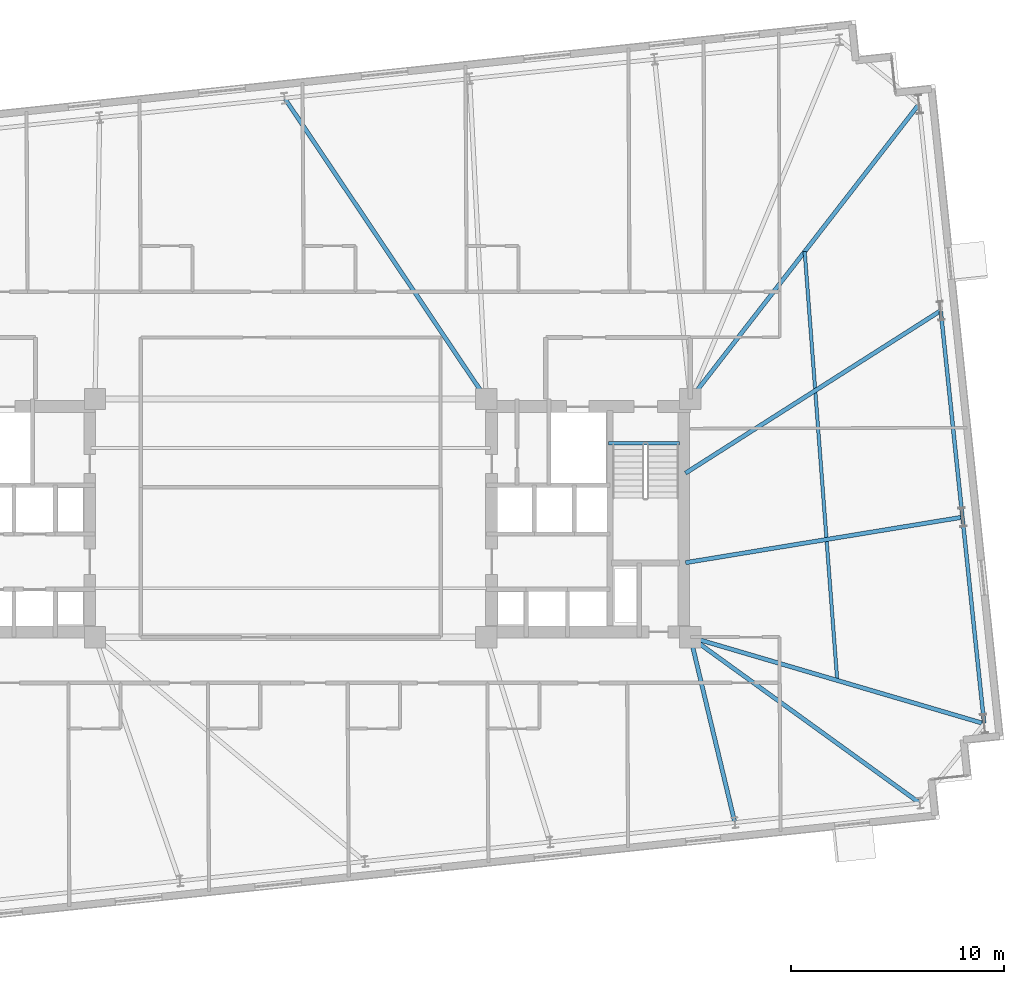
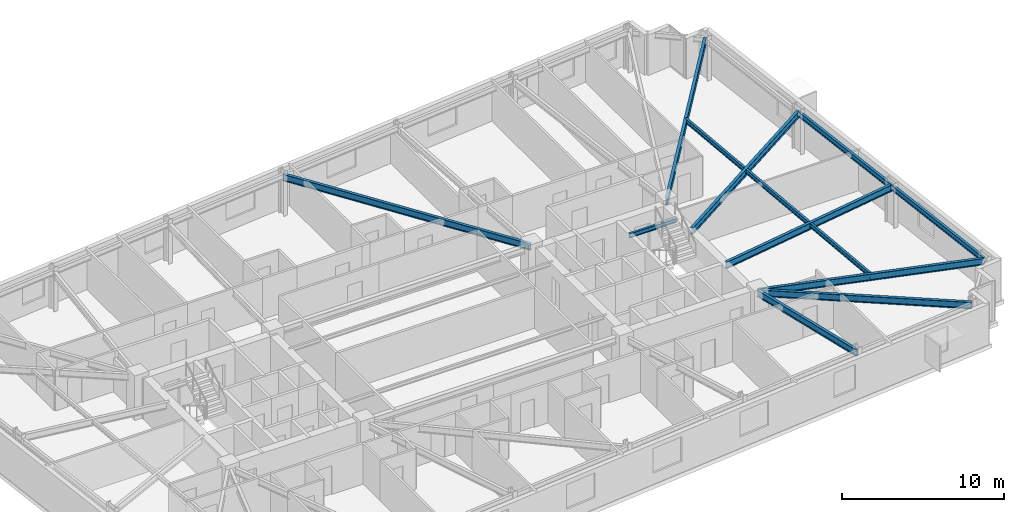
# One storey, part 7 of 19: 11 beams.
"""IFC4 building model written with IfcOpenShell, lengths in metres."""

from ifc_helpers import new_model, si_unit, direction, frame, origin, origin_2d, place, context, subcontext, project, spatial, i_section, extrude, material, material_profile, profile_set, type_object, element, save


model = new_model("IFC4")

# Units and contexts
model_context = context("Model", 3, precision=1e-05, world=origin(), true_north=direction((0.0, 1.0)))
body_context = subcontext(model_context, "Body", "Model", "MODEL_VIEW")
ifc_project = project(units=[si_unit("LENGTHUNIT", "METRE"), si_unit("AREAUNIT", "SQUARE_METRE"), si_unit("VOLUMEUNIT", "CUBIC_METRE"), si_unit("PLANEANGLEUNIT", "RADIAN"), si_unit("MASSUNIT", "GRAM", prefix="KILO")], contexts=[model_context])

# Site, building, storey
site_placement = place(None, origin())
site = spatial("IfcSite", under=ifc_project, at=site_placement, CompositionType="ELEMENT")
building_placement = place(site_placement, origin())
building = spatial("IfcBuilding", under=site, at=building_placement, Name="Qobustan Lattice House", CompositionType="ELEMENT")
storey_placement = place(building_placement, frame((0.0, 0.0, 115.85009765625)))
storey = spatial("IfcBuildingStorey", under=building, at=storey_placement, Name="L32", CompositionType="ELEMENT", Elevation=115.85009765625)

# Beams
ifc_material_1 = material(Name="Steel S355", Category="steel")
ifc_material_profile_1 = material_profile(ifc_material_1, i_section(OverallWidth=0.199951171875, OverallDepth=0.5, WebThickness=0.01025390625, FlangeThickness=0.01611328125, FilletRadius=0.02099609375, at=origin_2d()), Name="IPE500")
ifc_profile_set_1 = profile_set([ifc_material_profile_1], Name="Steel S355")
beam_type_1 = type_object("IfcBeamType", Name="BM-FLG-IPE500", PredefinedType="USERDEFINED", material=ifc_profile_set_1)
beam_1_placement = place(storey_placement, frame((20.885009765625, -14.297607421875, 2.794921875), z_axis=(-0.233107910855, 0.97245087377, 0.0), x_axis=(-0.97245087377, -0.233107910855, 0.0)))
element("IfcBeam", 1, at=beam_1_placement, inside=storey, type_object=beam_type_1, Name="L32 primary floor girder RAD-S6", ObjectType="GIRDER", PredefinedType="USERDEFINED", context=body_context, shape_type="SweptSolid", body=[
    extrude(i_section(OverallWidth=0.199951171875, OverallDepth=0.5, WebThickness=0.01025390625, FlangeThickness=0.01611328125, FilletRadius=0.02099609375, at=origin_2d()), origin(), (0.0, 0.0, 1.0), 8.9189453125),
])
beam_2_placement = place(storey_placement, frame((29.572509765625, -13.392578125, 2.794921875), z_axis=(-0.81023705091, 0.586102313024, 0.0), x_axis=(-0.586102313024, -0.81023705091, 0.0)))
element("IfcBeam", 2, at=beam_2_placement, inside=storey, type_object=beam_type_1, Name="L32 primary floor girder RAD-S7E", ObjectType="GIRDER", PredefinedType="USERDEFINED", context=body_context, shape_type="SweptSolid", body=[
    extrude(i_section(OverallWidth=0.199951171875, OverallDepth=0.5, WebThickness=0.01025390625, FlangeThickness=0.01611328125, FilletRadius=0.02099609375, at=origin_2d()), origin(), (0.0, 0.0, 1.0), 13.2705078125),
])
beam_3_placement = place(storey_placement, frame((-0.272705078125, 19.730224609375, 2.794921875), z_axis=(0.556837669082, -0.830621339896, 0.0), x_axis=(0.830621339896, 0.556837669082, 0.0)))
element("IfcBeam", 3, at=beam_3_placement, inside=storey, type_object=beam_type_1, Name="L32 primary floor girder RAD-N4", ObjectType="GIRDER", PredefinedType="USERDEFINED", context=body_context, shape_type="SweptSolid", body=[
    extrude(i_section(OverallWidth=0.199951171875, OverallDepth=0.5, WebThickness=0.01025390625, FlangeThickness=0.01611328125, FilletRadius=0.02099609375, at=origin_2d()), origin(), (0.0, 0.0, 1.0), 16.986572265625),
])
beam_4_placement = place(storey_placement, frame((29.541015625, 19.44921875, 2.794921875), z_axis=(-0.612860318028, -0.790191262029, 0.0), x_axis=(0.790191262029, -0.612860318028, 0.0)))
element("IfcBeam", 4, at=beam_4_placement, inside=storey, type_object=beam_type_1, Name="L32 primary floor girder RAD-E4", ObjectType="GIRDER", PredefinedType="USERDEFINED", context=body_context, shape_type="SweptSolid", body=[
    extrude(i_section(OverallWidth=0.199951171875, OverallDepth=0.5, WebThickness=0.01025390625, FlangeThickness=0.01611328125, FilletRadius=0.02099609375, at=origin_2d()), origin(), (0.0, 0.0, 1.0), 17.501220703125),
])
beam_5_placement = place(storey_placement, frame((30.555908203125, 9.742431640625, 2.794921875), z_axis=(-0.843584351199, -0.536996687525, 0.0), x_axis=(0.536996687525, -0.843584351199, 0.0)))
element("IfcBeam", 5, at=beam_5_placement, inside=storey, type_object=beam_type_1, Name="L32 primary floor girder RAD-E3", ObjectType="GIRDER", PredefinedType="USERDEFINED", context=body_context, shape_type="SweptSolid", body=[
    extrude(i_section(OverallWidth=0.199951171875, OverallDepth=0.5, WebThickness=0.01025390625, FlangeThickness=0.01611328125, FilletRadius=0.02099609375, at=origin_2d()), origin(), (0.0, 0.0, 1.0), 14.20703125),
])
beam_6_placement = place(storey_placement, frame((31.5732421875, 0.03857421875, 2.794921875), z_axis=(-0.986783828506, -0.162042203761, 0.0), x_axis=(0.162042203761, -0.986783828506, 0.0)))
element("IfcBeam", 6, at=beam_6_placement, inside=storey, type_object=beam_type_1, Name="L32 primary floor girder RAD-E2", ObjectType="GIRDER", PredefinedType="USERDEFINED", context=body_context, shape_type="SweptSolid", body=[
    extrude(i_section(OverallWidth=0.199951171875, OverallDepth=0.5, WebThickness=0.01025390625, FlangeThickness=0.01611328125, FilletRadius=0.02099609375, at=origin_2d()), origin(), (0.0, 0.0, 1.0), 13.172607421875),
])
beam_7_placement = place(storey_placement, frame((32.594970703125, -9.663330078125, 2.794921875), z_axis=(-0.959254941513, 0.282541956499, 0.0), x_axis=(-0.282541956499, -0.959254941513, 0.0)))
element("IfcBeam", 7, at=beam_7_placement, inside=storey, type_object=beam_type_1, Name="L32 primary floor girder RAD-E1", ObjectType="GIRDER", PredefinedType="USERDEFINED", context=body_context, shape_type="SweptSolid", body=[
    extrude(i_section(OverallWidth=0.199951171875, OverallDepth=0.5, WebThickness=0.01025390625, FlangeThickness=0.01611328125, FilletRadius=0.02099609375, at=origin_2d()), origin(), (0.0, 0.0, 1.0), 14.35595703125),
])
ifc_material_2 = material(Name="Steel S355", Category="steel")
ifc_material_profile_2 = material_profile(ifc_material_2, i_section(OverallWidth=0.159912109375, OverallDepth=0.330078125, WebThickness=0.007568359375, FlangeThickness=0.011474609375, FilletRadius=0.01806640625, at=origin_2d()), Name="IPE330")
ifc_profile_set_2 = profile_set([ifc_material_profile_2], Name="Steel S355")
beam_type_2 = type_object("IfcBeamType", Name="BM-SEC-IPE330", PredefinedType="BEAM", material=ifc_profile_set_2)
beam_8_placement = place(storey_placement, frame((24.177978515625, 12.534423828125, 2.8798828125), z_axis=(0.075712576466, -0.997129683524, 0.0), x_axis=(0.997129683524, 0.075712576466, 0.0)))
element("IfcBeam", 8, at=beam_8_placement, inside=storey, type_object=beam_type_2, Name="L32 east wing secondary beam", PredefinedType="BEAM", context=body_context, shape_type="SweptSolid", body=[
    extrude(i_section(OverallWidth=0.159912109375, OverallDepth=0.330078125, WebThickness=0.007568359375, FlangeThickness=0.011474609375, FilletRadius=0.01806640625, at=origin_2d()), origin(), (0.0, 0.0, 1.0), 20.227783203125),
])
ifc_material_3 = material(Name="Steel S355", Category="steel")
ifc_material_profile_3 = material_profile(ifc_material_3, i_section(OverallWidth=0.159912109375, OverallDepth=0.330078125, WebThickness=0.007568359375, FlangeThickness=0.011474609375, FilletRadius=0.01806640625, at=origin_2d()), Name="IPE330")
ifc_profile_set_3 = profile_set([ifc_material_profile_3], Name="Steel S355")
beam_type_3 = type_object("IfcBeamType", Name="BM-SPD-IPE330", PredefinedType="SPANDREL", material=ifc_profile_set_3)
beam_9_placement = place(storey_placement, frame((14.949951171875, 3.52001953125, 2.8798828125), z_axis=(1.0, 0.0, 0.0), x_axis=(0.0, 1.0, 0.0)))
element("IfcBeam", 9, at=beam_9_placement, inside=storey, type_object=beam_type_3, Name="L32 east stair landing trimmer beam", PredefinedType="SPANDREL", context=body_context, shape_type="SweptSolid", body=[
    extrude(i_section(OverallWidth=0.159912109375, OverallDepth=0.330078125, WebThickness=0.007568359375, FlangeThickness=0.011474609375, FilletRadius=0.01806640625, at=origin_2d()), origin(), (0.0, 0.0, 1.0), 3.35009765625),
])
ifc_material_4 = material(Name="Steel S355", Category="steel")
ifc_material_profile_4 = material_profile(ifc_material_4, i_section(OverallWidth=0.179931640625, OverallDepth=0.39990234375, WebThickness=0.008544921875, FlangeThickness=0.013427734375, FilletRadius=0.02099609375, at=origin_2d()), Name="IPE400")
ifc_profile_set_4 = profile_set([ifc_material_profile_4], Name="Steel S355")
beam_type_4 = type_object("IfcBeamType", Name="BM-SPD-IPE400", PredefinedType="SPANDREL", material=ifc_profile_set_4)
for number, where, z_axis, x_axis, name in (
    (10, (32.6162109375, -9.6455078125, 2.844970703125), (-0.104525214252, 0.994522236848, 0.0), (-0.994522236848, -0.104525214252, 0.0), "L32 perimeter spandrel E1-E2"),
    (11, (31.595458984375, 0.067626953125, 2.844970703125), (-0.10455006589, 0.994519624604, 0.0), (-0.994519624604, -0.10455006589, 0.0), "L32 perimeter spandrel E2-E3"),
):
    element("IfcBeam", number, at=place(storey_placement, frame(where, z_axis=z_axis, x_axis=x_axis)), inside=storey, type_object=beam_type_4, Name=name, PredefinedType="SPANDREL", context=body_context, shape_type="SweptSolid", body=[
        extrude(i_section(OverallWidth=0.179931640625, OverallDepth=0.39990234375, WebThickness=0.008544921875, FlangeThickness=0.013427734375, FilletRadius=0.02099609375, at=origin_2d()), origin(), (0.0, 0.0, 1.0), 9.716552734375),
    ])

save(model, "model.ifc")
